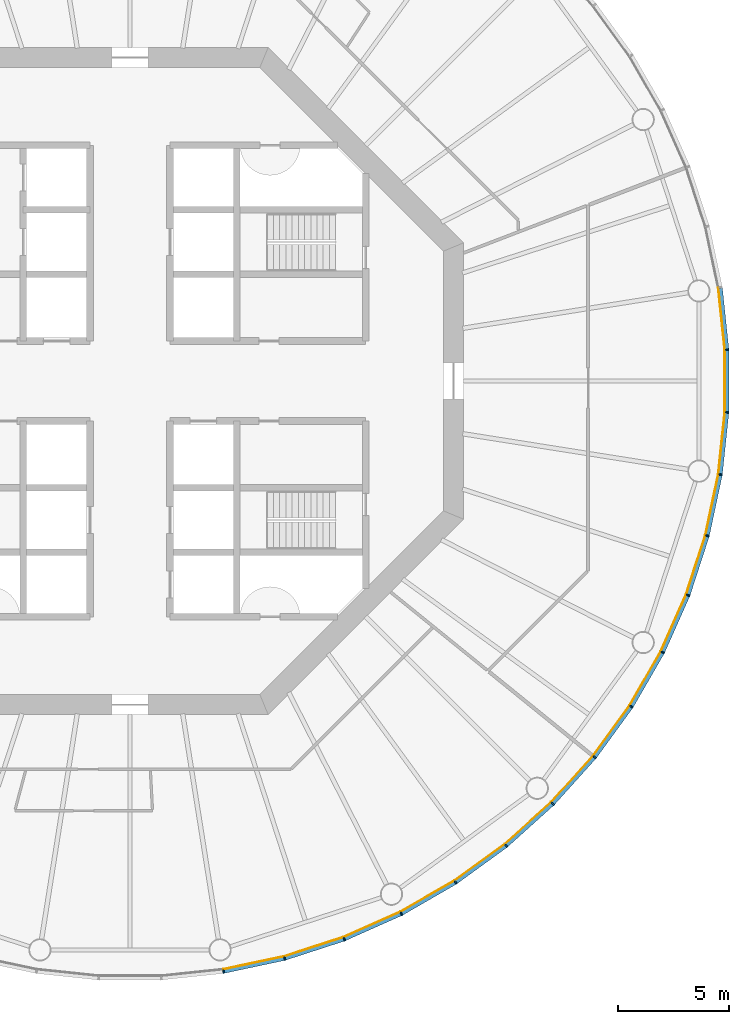
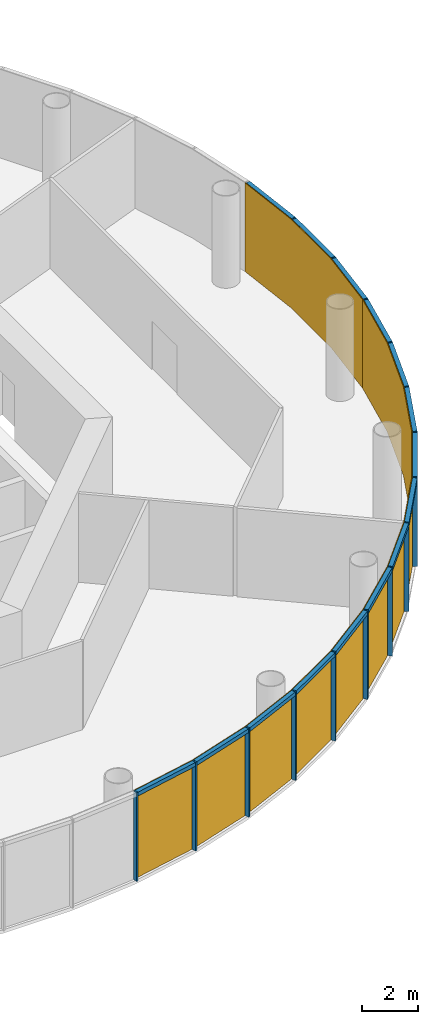
# One storey, part 8 of 12: 30 members, 5 curtain walls.
"""IFC4 building model written with IfcOpenShell, lengths in metres."""

from ifc_helpers import new_model, si_unit, direction, frame, origin, origin_2d, place, context, subcontext, project, spatial, polyline, rectangle, outline, extrude, material, layer, layer_set, material_profile, profile_set, type_object, element, aggregate, save


model = new_model("IFC4")

# Units and contexts
model_context = context("Model", 3, precision=1e-05, world=origin(), true_north=direction((0.0, 1.0)))
body_context = subcontext(model_context, "Body", "Model", "MODEL_VIEW")
ifc_project = project(units=[si_unit("LENGTHUNIT", "METRE"), si_unit("AREAUNIT", "SQUARE_METRE"), si_unit("VOLUMEUNIT", "CUBIC_METRE"), si_unit("PLANEANGLEUNIT", "RADIAN"), si_unit("MASSUNIT", "GRAM", prefix="KILO")], contexts=[model_context])

# Member
ifc_material_1 = material(Name="Anodised aluminium", Category="aluminium")
ifc_material_profile_1 = material_profile(ifc_material_1, rectangle(XDim=0.06005859375, YDim=0.169921875, at=origin_2d()), Name="Mullion 60 x 170 mm anodised aluminium")
ifc_profile_set_1 = profile_set([ifc_material_profile_1], Name="Anodised aluminium")
member_type_1 = type_object("IfcMemberType", Name="Mullion 60 x 170 mm anodised aluminium", PredefinedType="MULLION", material=ifc_profile_set_1)
site_placement = place(None, origin())
building_placement = place(site_placement, origin())
storey_placement = place(building_placement, frame((0.0, 0.0, 242.0)))
member_1_placement = place(storey_placement, frame((94.205810546875, 53.446044921875, 0.0), z_axis=(0.0, 0.0, 1.0), x_axis=(0.987688340595, 0.15643446504, 0.0)))
member_1 = element("IfcMember", 1, at=member_1_placement, type_object=member_type_1, Name="MULLION L55-45", PredefinedType="MULLION", context=body_context, shape_type="SweptSolid", body=[
    extrude(rectangle(XDim=0.06005859375, YDim=0.169921875, at=origin_2d()), origin(), (0.0, 0.0, 1.0), 3.85009765625),
])

member_2_placement = place(storey_placement, frame((96.958251953125, 54.031005859375, 0.0), z_axis=(0.0, 0.0, 1.0), x_axis=(0.965925826289, 0.258819045103, 0.0)))
member_2 = element("IfcMember", 2, at=member_2_placement, type_object=member_type_1, Name="MULLION L55-46", PredefinedType="MULLION", context=body_context, shape_type="SweptSolid", body=[
    extrude(rectangle(XDim=0.06005859375, YDim=0.169921875, at=origin_2d()), origin(), (0.0, 0.0, 1.0), 3.85009765625),
])

member_3_placement = place(storey_placement, frame((99.634765625, 54.900634765625, 0.0), z_axis=(0.0, 0.0, 1.0), x_axis=(0.933580426497, 0.358367949545, 0.0)))
member_3 = element("IfcMember", 3, at=member_3_placement, type_object=member_type_1, Name="MULLION L55-47", PredefinedType="MULLION", context=body_context, shape_type="SweptSolid", body=[
    extrude(rectangle(XDim=0.06005859375, YDim=0.169921875, at=origin_2d()), origin(), (0.0, 0.0, 1.0), 3.85009765625),
])

member_4_placement = place(storey_placement, frame((102.20556640625, 56.04541015625, 0.0), z_axis=(0.0, 0.0, 1.0), x_axis=(0.891006524188, 0.45399049974, 0.0)))
member_4 = element("IfcMember", 4, at=member_4_placement, type_object=member_type_1, Name="MULLION L55-48", PredefinedType="MULLION", context=body_context, shape_type="SweptSolid", body=[
    extrude(rectangle(XDim=0.06005859375, YDim=0.169921875, at=origin_2d()), origin(), (0.0, 0.0, 1.0), 3.85009765625),
])

member_5_placement = place(storey_placement, frame((104.642578125, 57.452392578125, 0.0), z_axis=(0.0, 0.0, 1.0), x_axis=(0.838670567945, 0.544639035015, 0.0)))
member_5 = element("IfcMember", 5, at=member_5_placement, type_object=member_type_1, Name="MULLION L55-49", PredefinedType="MULLION", context=body_context, shape_type="SweptSolid", body=[
    extrude(rectangle(XDim=0.06005859375, YDim=0.169921875, at=origin_2d()), origin(), (0.0, 0.0, 1.0), 3.85009765625),
])

member_6_placement = place(storey_placement, frame((106.919189453125, 59.1064453125, 0.0), z_axis=(0.0, 0.0, 1.0), x_axis=(0.777145961457, 0.62932039105, 0.0)))
member_6 = element("IfcMember", 6, at=member_6_placement, type_object=member_type_1, Name="MULLION L55-50", PredefinedType="MULLION", context=body_context, shape_type="SweptSolid", body=[
    extrude(rectangle(XDim=0.06005859375, YDim=0.169921875, at=origin_2d()), origin(), (0.0, 0.0, 1.0), 3.85009765625),
])

member_7_placement = place(storey_placement, frame((109.010498046875, 60.989501953125, 0.0), z_axis=(0.0, 0.0, 1.0), x_axis=(0.707106781187, 0.707106781187, 0.0)))
member_7 = element("IfcMember", 7, at=member_7_placement, type_object=member_type_1, Name="MULLION L55-51", PredefinedType="MULLION", context=body_context, shape_type="SweptSolid", body=[
    extrude(rectangle(XDim=0.06005859375, YDim=0.169921875, at=origin_2d()), origin(), (0.0, 0.0, 1.0), 3.85009765625),
])

member_8_placement = place(storey_placement, frame((110.8935546875, 63.080810546875, 0.0), z_axis=(0.0, 0.0, 1.0), x_axis=(0.62932039105, 0.777145961457, 0.0)))
member_8 = element("IfcMember", 8, at=member_8_placement, type_object=member_type_1, Name="MULLION L55-52", PredefinedType="MULLION", context=body_context, shape_type="SweptSolid", body=[
    extrude(rectangle(XDim=0.06005859375, YDim=0.169921875, at=origin_2d()), origin(), (0.0, 0.0, 1.0), 3.85009765625),
])

member_9_placement = place(storey_placement, frame((112.547607421875, 65.357421875, 0.0), z_axis=(0.0, 0.0, 1.0), x_axis=(0.544639035015, 0.838670567945, 0.0)))
member_9 = element("IfcMember", 9, at=member_9_placement, type_object=member_type_1, Name="MULLION L55-53", PredefinedType="MULLION", context=body_context, shape_type="SweptSolid", body=[
    extrude(rectangle(XDim=0.06005859375, YDim=0.169921875, at=origin_2d()), origin(), (0.0, 0.0, 1.0), 3.85009765625),
])

member_10_placement = place(storey_placement, frame((113.95458984375, 67.79443359375, 0.0), z_axis=(0.0, 0.0, 1.0), x_axis=(0.45399049974, 0.891006524188, 0.0)))
member_10 = element("IfcMember", 10, at=member_10_placement, type_object=member_type_1, Name="MULLION L55-54", PredefinedType="MULLION", context=body_context, shape_type="SweptSolid", body=[
    extrude(rectangle(XDim=0.06005859375, YDim=0.169921875, at=origin_2d()), origin(), (0.0, 0.0, 1.0), 3.85009765625),
])

member_11_placement = place(storey_placement, frame((115.099365234375, 70.365234375, 0.0), z_axis=(0.0, 0.0, 1.0), x_axis=(0.358367949545, 0.933580426497, 0.0)))
member_11 = element("IfcMember", 11, at=member_11_placement, type_object=member_type_1, Name="MULLION L55-55", PredefinedType="MULLION", context=body_context, shape_type="SweptSolid", body=[
    extrude(rectangle(XDim=0.06005859375, YDim=0.169921875, at=origin_2d()), origin(), (0.0, 0.0, 1.0), 3.85009765625),
])

member_12_placement = place(storey_placement, frame((115.968994140625, 73.041748046875, 0.0), z_axis=(0.0, 0.0, 1.0), x_axis=(0.258819045103, 0.965925826289, 0.0)))
member_12 = element("IfcMember", 12, at=member_12_placement, type_object=member_type_1, Name="MULLION L55-56", PredefinedType="MULLION", context=body_context, shape_type="SweptSolid", body=[
    extrude(rectangle(XDim=0.06005859375, YDim=0.169921875, at=origin_2d()), origin(), (0.0, 0.0, 1.0), 3.85009765625),
])

member_13_placement = place(storey_placement, frame((116.553955078125, 75.794189453125, 0.0), z_axis=(0.0, 0.0, 1.0), x_axis=(0.15643446504, 0.987688340595, 0.0)))
member_13 = element("IfcMember", 13, at=member_13_placement, type_object=member_type_1, Name="MULLION L55-57", PredefinedType="MULLION", context=body_context, shape_type="SweptSolid", body=[
    extrude(rectangle(XDim=0.06005859375, YDim=0.169921875, at=origin_2d()), origin(), (0.0, 0.0, 1.0), 3.85009765625),
])

member_14_placement = place(storey_placement, frame((116.84814453125, 78.593017578125, 0.0), z_axis=(0.0, 0.0, 1.0), x_axis=(0.052335956243, 0.998629534755, 0.0)))
member_14 = element("IfcMember", 14, at=member_14_placement, type_object=member_type_1, Name="MULLION L55-58", PredefinedType="MULLION", context=body_context, shape_type="SweptSolid", body=[
    extrude(rectangle(XDim=0.06005859375, YDim=0.169921875, at=origin_2d()), origin(), (0.0, 0.0, 1.0), 3.85009765625),
])

member_15_placement = place(storey_placement, frame((116.84814453125, 81.406982421875, 0.0), z_axis=(0.0, 0.0, 1.0), x_axis=(-0.052335956243, 0.998629534755, 0.0)))
member_15 = element("IfcMember", 15, at=member_15_placement, type_object=member_type_1, Name="MULLION L55-59", PredefinedType="MULLION", context=body_context, shape_type="SweptSolid", body=[
    extrude(rectangle(XDim=0.06005859375, YDim=0.169921875, at=origin_2d()), origin(), (0.0, 0.0, 1.0), 3.85009765625),
])

ifc_material_2 = material(Name="Anodised aluminium", Category="aluminium")
ifc_material_profile_2 = material_profile(ifc_material_2, rectangle(XDim=0.169921875, YDim=0.1650390625, at=origin_2d()), Name="Transom 165 x 170 mm anodised aluminium")
ifc_profile_set_2 = profile_set([ifc_material_profile_2], Name="Anodised aluminium")
member_type_2 = type_object("IfcMemberType", Name="Transom 165 x 170 mm anodised aluminium", PredefinedType="USERDEFINED", material=ifc_profile_set_2)
member_16_placement = place(storey_placement, frame((94.239501953125, 53.453125, 3.767578125), z_axis=(0.97814212115, 0.207937468562, 0.0), x_axis=(-0.207937468562, 0.97814212115, 0.0)))
member_16 = element("IfcMember", 16, at=member_16_placement, type_object=member_type_2, Name="TRANSOM L55-45", ObjectType="TRANSOM", PredefinedType="USERDEFINED", context=body_context, shape_type="SweptSolid", body=[
    extrude(rectangle(XDim=0.169921875, YDim=0.1650390625, at=origin_2d()), origin(), (0.0, 0.0, 1.0), 2.7451171875),
])

member_17_placement = place(storey_placement, frame((96.9912109375, 54.04150390625, 3.767578125), z_axis=(0.951048445774, 0.309041831781, 0.0), x_axis=(-0.309041831781, 0.951048445774, 0.0)))
member_17 = element("IfcMember", 17, at=member_17_placement, type_object=member_type_2, Name="TRANSOM L55-46", ObjectType="TRANSOM", PredefinedType="USERDEFINED", context=body_context, shape_type="SweptSolid", body=[
    extrude(rectangle(XDim=0.169921875, YDim=0.1650390625, at=origin_2d()), origin(), (0.0, 0.0, 1.0), 2.7451171875),
])

member_18_placement = place(storey_placement, frame((99.666259765625, 54.91455078125, 3.767578125), z_axis=(0.913525267704, 0.406781987391, 0.0), x_axis=(-0.406781987391, 0.913525267704, 0.0)))
member_18 = element("IfcMember", 18, at=member_18_placement, type_object=member_type_2, Name="TRANSOM L55-47", ObjectType="TRANSOM", PredefinedType="USERDEFINED", context=body_context, shape_type="SweptSolid", body=[
    extrude(rectangle(XDim=0.169921875, YDim=0.1650390625, at=origin_2d()), origin(), (0.0, 0.0, 1.0), 2.7451171875),
])

member_19_placement = place(storey_placement, frame((102.2353515625, 56.0625, 3.767578125), z_axis=(0.866034527326, 0.49998419723, 0.0), x_axis=(-0.49998419723, 0.866034527326, 0.0)))
member_19 = element("IfcMember", 19, at=member_19_placement, type_object=member_type_2, Name="TRANSOM L55-48", ObjectType="TRANSOM", PredefinedType="USERDEFINED", context=body_context, shape_type="SweptSolid", body=[
    extrude(rectangle(XDim=0.169921875, YDim=0.1650390625, at=origin_2d()), origin(), (0.0, 0.0, 1.0), 2.7451171875),
])

member_20_placement = place(storey_placement, frame((104.670654296875, 57.472412109375, 3.767578125), z_axis=(0.808959086484, 0.587864947412, 0.0), x_axis=(-0.587864947412, 0.808959086484, 0.0)))
member_20 = element("IfcMember", 20, at=member_20_placement, type_object=member_type_2, Name="TRANSOM L55-49", ObjectType="TRANSOM", PredefinedType="USERDEFINED", context=body_context, shape_type="SweptSolid", body=[
    extrude(rectangle(XDim=0.169921875, YDim=0.1650390625, at=origin_2d()), origin(), (0.0, 0.0, 1.0), 2.7451171875),
])

member_21_placement = place(storey_placement, frame((106.945068359375, 59.12939453125, 3.767578125), z_axis=(0.743134927907, 0.669141598561, 0.0), x_axis=(-0.669141598561, 0.743134927907, 0.0)))
member_21 = element("IfcMember", 21, at=member_21_placement, type_object=member_type_2, Name="TRANSOM L55-50", ObjectType="TRANSOM", PredefinedType="USERDEFINED", context=body_context, shape_type="SweptSolid", body=[
    extrude(rectangle(XDim=0.169921875, YDim=0.1650390625, at=origin_2d()), origin(), (0.0, 0.0, 1.0), 2.7451171875),
])

member_22_placement = place(storey_placement, frame((109.03369140625, 61.014892578125, 3.767578125), z_axis=(0.669141598561, 0.743134927907, 0.0), x_axis=(-0.743134927907, 0.669141598561, 0.0)))
member_22 = element("IfcMember", 22, at=member_22_placement, type_object=member_type_2, Name="TRANSOM L55-51", ObjectType="TRANSOM", PredefinedType="USERDEFINED", context=body_context, shape_type="SweptSolid", body=[
    extrude(rectangle(XDim=0.169921875, YDim=0.1650390625, at=origin_2d()), origin(), (0.0, 0.0, 1.0), 2.7451171875),
])

member_23_placement = place(storey_placement, frame((110.913818359375, 63.108642578125, 3.767578125), z_axis=(0.587864947412, 0.808959086484, 0.0), x_axis=(-0.808959086484, 0.587864947412, 0.0)))
member_23 = element("IfcMember", 23, at=member_23_placement, type_object=member_type_2, Name="TRANSOM L55-52", ObjectType="TRANSOM", PredefinedType="USERDEFINED", context=body_context, shape_type="SweptSolid", body=[
    extrude(rectangle(XDim=0.169921875, YDim=0.1650390625, at=origin_2d()), origin(), (0.0, 0.0, 1.0), 2.7451171875),
])

member_24_placement = place(storey_placement, frame((112.56494140625, 65.38720703125, 3.767578125), z_axis=(0.49998419723, 0.866034527326, 0.0), x_axis=(-0.866034527326, 0.49998419723, 0.0)))
member_24 = element("IfcMember", 24, at=member_24_placement, type_object=member_type_2, Name="TRANSOM L55-53", ObjectType="TRANSOM", PredefinedType="USERDEFINED", context=body_context, shape_type="SweptSolid", body=[
    extrude(rectangle(XDim=0.169921875, YDim=0.1650390625, at=origin_2d()), origin(), (0.0, 0.0, 1.0), 2.7451171875),
])

member_25_placement = place(storey_placement, frame((113.96875, 67.825927734375, 3.767578125), z_axis=(0.406781987391, 0.913525267704, 0.0), x_axis=(-0.913525267704, 0.406781987391, 0.0)))
member_25 = element("IfcMember", 25, at=member_25_placement, type_object=member_type_2, Name="TRANSOM L55-54", ObjectType="TRANSOM", PredefinedType="USERDEFINED", context=body_context, shape_type="SweptSolid", body=[
    extrude(rectangle(XDim=0.169921875, YDim=0.1650390625, at=origin_2d()), origin(), (0.0, 0.0, 1.0), 2.7451171875),
])

member_26_placement = place(storey_placement, frame((115.110107421875, 70.39794921875, 3.767578125), z_axis=(0.309041831781, 0.951048445774, 0.0), x_axis=(-0.951048445774, 0.309041831781, 0.0)))
member_26 = element("IfcMember", 26, at=member_26_placement, type_object=member_type_2, Name="TRANSOM L55-55", ObjectType="TRANSOM", PredefinedType="USERDEFINED", context=body_context, shape_type="SweptSolid", body=[
    extrude(rectangle(XDim=0.169921875, YDim=0.1650390625, at=origin_2d()), origin(), (0.0, 0.0, 1.0), 2.7451171875),
])

member_27_placement = place(storey_placement, frame((115.97607421875, 73.075439453125, 3.767578125), z_axis=(0.207937468562, 0.97814212115, 0.0), x_axis=(-0.97814212115, 0.207937468562, 0.0)))
member_27 = element("IfcMember", 27, at=member_27_placement, type_object=member_type_2, Name="TRANSOM L55-56", ObjectType="TRANSOM", PredefinedType="USERDEFINED", context=body_context, shape_type="SweptSolid", body=[
    extrude(rectangle(XDim=0.169921875, YDim=0.1650390625, at=origin_2d()), origin(), (0.0, 0.0, 1.0), 2.7451171875),
])

member_28_placement = place(storey_placement, frame((116.5576171875, 75.82861328125, 3.767578125), z_axis=(0.104592190102, 0.994515195344, 0.0), x_axis=(-0.994515195344, 0.104592190102, 0.0)))
member_28 = element("IfcMember", 28, at=member_28_placement, type_object=member_type_2, Name="TRANSOM L55-57", ObjectType="TRANSOM", PredefinedType="USERDEFINED", context=body_context, shape_type="SweptSolid", body=[
    extrude(rectangle(XDim=0.169921875, YDim=0.1650390625, at=origin_2d()), origin(), (0.0, 0.0, 1.0), 2.7451171875),
])

member_29_placement = place(storey_placement, frame((116.848388671875, 78.62744140625, 3.767578125), z_axis=(0.0, 1.0, 0.0), x_axis=(-1.0, 0.0, 0.0)))
member_29 = element("IfcMember", 29, at=member_29_placement, type_object=member_type_2, Name="TRANSOM L55-58", ObjectType="TRANSOM", PredefinedType="USERDEFINED", context=body_context, shape_type="SweptSolid", body=[
    extrude(rectangle(XDim=0.169921875, YDim=0.1650390625, at=origin_2d()), origin(), (0.0, 0.0, 1.0), 2.7451171875),
])

member_30_placement = place(storey_placement, frame((116.8447265625, 81.44140625, 3.767578125), z_axis=(-0.104592190102, 0.994515195344, 0.0), x_axis=(-0.994515195344, -0.104592190102, 0.0)))
member_30 = element("IfcMember", 30, at=member_30_placement, type_object=member_type_2, Name="TRANSOM L55-59", ObjectType="TRANSOM", PredefinedType="USERDEFINED", context=body_context, shape_type="SweptSolid", body=[
    extrude(rectangle(XDim=0.169921875, YDim=0.1650390625, at=origin_2d()), origin(), (0.0, 0.0, 1.0), 2.7451171875),
])

# Site, building, storey
site = spatial("IfcSite", under=ifc_project, at=site_placement, CompositionType="ELEMENT")
building = spatial("IfcBuilding", under=site, at=building_placement, Name="Entoto Ring Tower", CompositionType="ELEMENT")
storey = spatial("IfcBuildingStorey", under=building, at=storey_placement, Name="L55", CompositionType="ELEMENT", Elevation=242.0)

# Curtain wall
ifc_material_3 = material(Name="Clear low-iron glass", Category="glass")
ifc_layer = layer(ifc_material_3, 0.031982421875)
ifc_layer_set = layer_set([ifc_layer], Name="Clear low-iron glass")
curtain_wall_type = type_object("IfcCurtainWallType", Name="Curtain wall system CW4 glazing 32 mm", PredefinedType="NOTDEFINED", material=ifc_layer_set)
curtain_wall_1_placement = place(storey_placement, origin())
curtain_wall_1 = element("IfcCurtainWall", 31, at=curtain_wall_1_placement, inside=storey, type_object=curtain_wall_type, Name="CW4 L55-16", PredefinedType="NOTDEFINED", context=body_context, shape_type="SweptSolid", body=[
    extrude(outline(polyline([(94.1923828125, 53.530029296875), (96.936279296875, 54.11328125), (99.604248046875, 54.97998046875), (102.1669921875, 56.12109375), (102.15234375, 56.149658203125), (99.5927734375, 55.010009765625), (96.927978515625, 54.14404296875), (94.1875, 53.5615234375), (94.1923828125, 53.530029296875)])), origin(), (0.0, 0.0, 1.0), 3.85009765625),
])

aggregate(curtain_wall_1, [member_1, member_2, member_3, member_16, member_17, member_18])

curtain_wall_2_placement = place(storey_placement, origin())
curtain_wall_2 = element("IfcCurtainWall", 32, at=curtain_wall_2_placement, inside=storey, type_object=curtain_wall_type, Name="CW4 L55-17", PredefinedType="NOTDEFINED", context=body_context, shape_type="SweptSolid", body=[
    extrude(outline(polyline([(102.1669921875, 56.12109375), (104.596435546875, 57.523681640625), (106.86572265625, 59.172607421875), (108.950439453125, 61.049560546875), (108.927734375, 61.072265625), (106.845703125, 59.197509765625), (104.578857421875, 57.550537109375), (102.15234375, 56.149658203125), (102.1669921875, 56.12109375)])), origin(), (0.0, 0.0, 1.0), 3.85009765625),
])

aggregate(curtain_wall_2, [member_4, member_5, member_6, member_19, member_20, member_21])

curtain_wall_3_placement = place(storey_placement, origin())
curtain_wall_3 = element("IfcCurtainWall", 33, at=curtain_wall_3_placement, inside=storey, type_object=curtain_wall_type, Name="CW4 L55-18", PredefinedType="NOTDEFINED", context=body_context, shape_type="SweptSolid", body=[
    extrude(outline(polyline([(108.950439453125, 61.049560546875), (110.827392578125, 63.13427734375), (112.476318359375, 65.403564453125), (113.87890625, 67.8330078125), (113.850341796875, 67.84765625), (112.449462890625, 65.421142578125), (110.802490234375, 63.154296875), (108.927734375, 61.072265625), (108.950439453125, 61.049560546875)])), origin(), (0.0, 0.0, 1.0), 3.85009765625),
])

aggregate(curtain_wall_3, [member_7, member_8, member_9, member_22, member_23, member_24])

curtain_wall_4_placement = place(storey_placement, origin())
curtain_wall_4 = element("IfcCurtainWall", 34, at=curtain_wall_4_placement, inside=storey, type_object=curtain_wall_type, Name="CW4 L55-19", PredefinedType="NOTDEFINED", context=body_context, shape_type="SweptSolid", body=[
    extrude(outline(polyline([(113.87890625, 67.8330078125), (115.02001953125, 70.395751953125), (115.88671875, 73.063720703125), (116.469970703125, 75.8076171875), (116.4384765625, 75.8125), (115.85595703125, 73.072021484375), (114.989990234375, 70.4072265625), (113.850341796875, 67.84765625), (113.87890625, 67.8330078125)])), origin(), (0.0, 0.0, 1.0), 3.85009765625),
])

aggregate(curtain_wall_4, [member_10, member_11, member_12, member_25, member_26, member_27])

curtain_wall_5_placement = place(storey_placement, origin())
curtain_wall_5 = element("IfcCurtainWall", 35, at=curtain_wall_5_placement, inside=storey, type_object=curtain_wall_type, Name="CW4 L55-20", PredefinedType="NOTDEFINED", context=body_context, shape_type="SweptSolid", body=[
    extrude(outline(polyline([(116.469970703125, 75.8076171875), (116.76318359375, 78.597412109375), (116.76318359375, 81.402587890625), (116.469970703125, 84.1923828125), (116.4384765625, 84.1875), (116.731201171875, 81.40087890625), (116.731201171875, 78.59912109375), (116.4384765625, 75.8125), (116.469970703125, 75.8076171875)])), origin(), (0.0, 0.0, 1.0), 3.85009765625),
])

aggregate(curtain_wall_5, [member_13, member_14, member_15, member_28, member_29, member_30])

save(model, "model.ifc")
